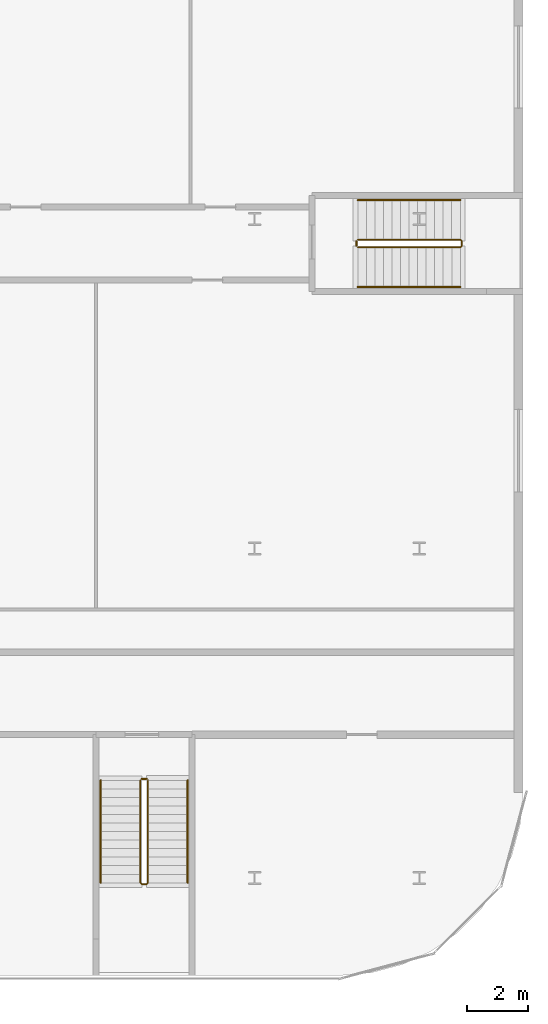
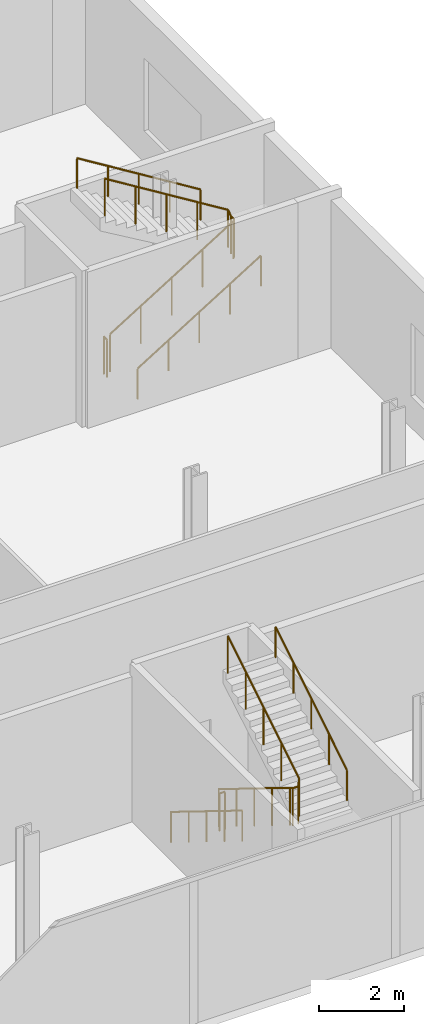
# One storey, part 42 of 47: 8 railings.
"""IFC4 building model written with IfcOpenShell, lengths in metres."""

from ifc_helpers import new_model, si_unit, direction, frame, origin, origin_2d, place, context, subcontext, project, spatial, circle, extrude, material, type_object, element, save


model = new_model("IFC4")

# Units and contexts
model_context = context("Model", 3, precision=1e-05, world=origin(), true_north=direction((0.0, 1.0)))
body_context = subcontext(model_context, "Body", "Model", "MODEL_VIEW")
ifc_project = project(units=[si_unit("LENGTHUNIT", "METRE"), si_unit("AREAUNIT", "SQUARE_METRE"), si_unit("VOLUMEUNIT", "CUBIC_METRE"), si_unit("PLANEANGLEUNIT", "RADIAN"), si_unit("MASSUNIT", "GRAM", prefix="KILO")], contexts=[model_context])

# Site, building, storey
site_placement = place(None, origin())
site = spatial("IfcSite", under=ifc_project, at=site_placement, CompositionType="ELEMENT")
building_placement = place(site_placement, origin())
building = spatial("IfcBuilding", under=site, at=building_placement, Name="Kheshtan School and Residences Tower", CompositionType="ELEMENT")
storey_placement = place(building_placement, frame((0.0, 0.0, 17.0)))
storey = spatial("IfcBuildingStorey", under=building, at=storey_placement, Name="L03", CompositionType="ELEMENT", Elevation=17.0)

# Railings
ifc_material_1 = material(Name="Stainless steel balustrade", Category="steel")
railing_type_1 = type_object("IfcRailingType", Name="Stair guard 1100", PredefinedType="GUARDRAIL", material=ifc_material_1)
railing_1_placement = place(storey_placement, frame((119.449951171875, 16.39990234375, 0.173095703125)))
element("IfcRailing", 1, at=railing_1_placement, inside=storey, type_object=railing_type_1, Name="L03 PS-118-010 stair guard 1", PredefinedType="GUARDRAIL", context=body_context, shape_type="SweptSolid", body=[
    extrude(circle(Radius=0.02392578125, at=origin_2d()), frame((0.0, 0.0, 1.076171875), z_axis=(0.0, -0.850606129759, 0.525803396734), x_axis=(1.0, 0.0, 0.0)), (0.0, 0.0, 1.0), 3.949951171875),
    extrude(circle(Radius=0.02392578125, at=origin_2d()), frame((0.0, -3.35986328125, 3.15283203125), z_axis=(0.707106781187, -0.707106781187, 0.0), x_axis=(0.707106781187, 0.707106781187, 0.0)), (0.0, 0.0, 1.0), 0.07080078125),
    extrude(circle(Radius=0.02392578125, at=origin_2d()), frame((0.050048828125, -3.409912109375, 3.15283203125), z_axis=(1.0, 0.0, 0.0), x_axis=(0.0, 1.0, 0.0)), (0.0, 0.0, 1.0), 0.14990234375),
    extrude(circle(Radius=0.02392578125, at=origin_2d()), frame((0.199951171875, -3.409912109375, 3.15283203125), z_axis=(0.267629722418, 0.267629722418, 0.925607186314), x_axis=(-0.707106781187, 0.707106781187, 0.0)), (0.0, 0.0, 1.0), 0.18701171875),
    extrude(circle(Radius=0.02392578125, at=origin_2d()), frame((0.25, -3.35986328125, 3.326171875), z_axis=(0.0, 0.850606129759, 0.525803396734), x_axis=(-1.0, 0.0, 0.0)), (0.0, 0.0, 1.0), 3.949951171875),
    extrude(circle(Radius=0.02099609375, at=origin_2d()), origin(), (0.0, 0.0, 1.0), 1.052001953125),
    extrude(circle(Radius=0.02099609375, at=origin_2d()), frame((0.0, -0.83984375, 0.519287109375)), (0.0, 0.0, 1.0), 1.052001953125),
    extrude(circle(Radius=0.02099609375, at=origin_2d()), frame((0.0, -1.679931640625, 1.03857421875)), (0.0, 0.0, 1.0), 1.052001953125),
    extrude(circle(Radius=0.02099609375, at=origin_2d()), frame((0.0, -2.52001953125, 1.5576171875)), (0.0, 0.0, 1.0), 1.052001953125),
    extrude(circle(Radius=0.02099609375, at=origin_2d()), frame((0.0, -3.35986328125, 2.076904296875)), (0.0, 0.0, 1.0), 1.052001953125),
    extrude(circle(Radius=0.02099609375, at=origin_2d()), frame((0.050048828125, -3.409912109375, 2.076904296875)), (0.0, 0.0, 1.0), 1.052001953125),
    extrude(circle(Radius=0.02099609375, at=origin_2d()), frame((0.199951171875, -3.409912109375, 2.076904296875)), (0.0, 0.0, 1.0), 1.052001953125),
    extrude(circle(Radius=0.02099609375, at=origin_2d()), frame((0.25, -3.35986328125, 2.25)), (0.0, 0.0, 1.0), 1.052001953125),
    extrude(circle(Radius=0.02099609375, at=origin_2d()), frame((0.25, -2.52001953125, 2.769287109375)), (0.0, 0.0, 1.0), 1.052001953125),
    extrude(circle(Radius=0.02099609375, at=origin_2d()), frame((0.25, -1.679931640625, 3.28857421875)), (0.0, 0.0, 1.0), 1.052001953125),
    extrude(circle(Radius=0.02099609375, at=origin_2d()), frame((0.25, -0.83984375, 3.8076171875)), (0.0, 0.0, 1.0), 1.052001953125),
    extrude(circle(Radius=0.02099609375, at=origin_2d()), frame((0.25, 0.0, 4.326904296875)), (0.0, 0.0, 1.0), 1.052001953125),
])
railing_2_placement = place(storey_placement, frame((119.5, 16.449951171875, 0.0)))
element("IfcRailing", 2, at=railing_2_placement, inside=storey, type_object=railing_type_1, Name="L03 PS-118-010 stair guard 2", PredefinedType="GUARDRAIL", context=body_context, shape_type="SweptSolid", body=[
    extrude(circle(Radius=0.02392578125, at=origin_2d()), frame((0.0, 0.0, 1.076171875), z_axis=(1.0, 0.0, 0.0), x_axis=(0.0, 1.0, 0.0)), (0.0, 0.0, 1.0), 0.14990234375),
    extrude(circle(Radius=0.02099609375, at=origin_2d()), origin(), (0.0, 0.0, 1.0), 1.052001953125),
    extrude(circle(Radius=0.02099609375, at=origin_2d()), frame((0.14990234375, 0.0, 0.0)), (0.0, 0.0, 1.0), 1.052001953125),
])
railing_3_placement = place(storey_placement, frame((126.580078125, 33.875, 0.173095703125)))
element("IfcRailing", 3, at=railing_3_placement, inside=storey, type_object=railing_type_1, Name="L03 PS-125-032 stair guard 1", PredefinedType="GUARDRAIL", context=body_context, shape_type="SweptSolid", body=[
    extrude(circle(Radius=0.02392578125, at=origin_2d()), frame((0.0, 0.0, 1.076171875), z_axis=(0.850606129759, 0.0, 0.525803396734), x_axis=(0.0, 1.0, 0.0)), (0.0, 0.0, 1.0), 3.949951171875),
    extrude(circle(Radius=0.02392578125, at=origin_2d()), frame((3.35986328125, 0.0, 3.15283203125), z_axis=(0.707106781187, 0.707106781187, 0.0), x_axis=(-0.707106781187, 0.707106781187, 0.0)), (0.0, 0.0, 1.0), 0.07080078125),
    extrude(circle(Radius=0.02392578125, at=origin_2d()), frame((3.409912109375, 0.050048828125, 3.15283203125), z_axis=(0.0, 1.0, 0.0), x_axis=(-1.0, 0.0, 0.0)), (0.0, 0.0, 1.0), 0.14990234375),
    extrude(circle(Radius=0.02392578125, at=origin_2d()), frame((3.409912109375, 0.199951171875, 3.15283203125), z_axis=(-0.267629722418, 0.267629722418, 0.925607186314), x_axis=(-0.707106781187, -0.707106781187, 0.0)), (0.0, 0.0, 1.0), 0.18701171875),
    extrude(circle(Radius=0.02392578125, at=origin_2d()), frame((3.35986328125, 0.25, 3.326171875), z_axis=(-0.850606129759, 0.0, 0.525803396734), x_axis=(0.0, -1.0, 0.0)), (0.0, 0.0, 1.0), 3.949951171875),
    extrude(circle(Radius=0.02099609375, at=origin_2d()), origin(), (0.0, 0.0, 1.0), 1.052001953125),
    extrude(circle(Radius=0.02099609375, at=origin_2d()), frame((0.83984375, 0.0, 0.519287109375)), (0.0, 0.0, 1.0), 1.052001953125),
    extrude(circle(Radius=0.02099609375, at=origin_2d()), frame((1.679931640625, 0.0, 1.03857421875)), (0.0, 0.0, 1.0), 1.052001953125),
    extrude(circle(Radius=0.02099609375, at=origin_2d()), frame((2.52001953125, 0.0, 1.5576171875)), (0.0, 0.0, 1.0), 1.052001953125),
    extrude(circle(Radius=0.02099609375, at=origin_2d()), frame((3.35986328125, 0.0, 2.076904296875)), (0.0, 0.0, 1.0), 1.052001953125),
    extrude(circle(Radius=0.02099609375, at=origin_2d()), frame((3.409912109375, 0.050048828125, 2.076904296875)), (0.0, 0.0, 1.0), 1.052001953125),
    extrude(circle(Radius=0.02099609375, at=origin_2d()), frame((3.409912109375, 0.199951171875, 2.076904296875)), (0.0, 0.0, 1.0), 1.052001953125),
    extrude(circle(Radius=0.02099609375, at=origin_2d()), frame((3.35986328125, 0.25, 2.25)), (0.0, 0.0, 1.0), 1.052001953125),
    extrude(circle(Radius=0.02099609375, at=origin_2d()), frame((2.52001953125, 0.25, 2.769287109375)), (0.0, 0.0, 1.0), 1.052001953125),
    extrude(circle(Radius=0.02099609375, at=origin_2d()), frame((1.679931640625, 0.25, 3.28857421875)), (0.0, 0.0, 1.0), 1.052001953125),
    extrude(circle(Radius=0.02099609375, at=origin_2d()), frame((0.83984375, 0.25, 3.8076171875)), (0.0, 0.0, 1.0), 1.052001953125),
    extrude(circle(Radius=0.02099609375, at=origin_2d()), frame((0.0, 0.25, 4.326904296875)), (0.0, 0.0, 1.0), 1.052001953125),
])
railing_4_placement = place(storey_placement, frame((126.530029296875, 33.925048828125, 0.0)))
element("IfcRailing", 4, at=railing_4_placement, inside=storey, type_object=railing_type_1, Name="L03 PS-125-032 stair guard 2", PredefinedType="GUARDRAIL", context=body_context, shape_type="SweptSolid", body=[
    extrude(circle(Radius=0.02392578125, at=origin_2d()), frame((0.0, 0.0, 1.076171875), z_axis=(0.0, 1.0, 0.0), x_axis=(-1.0, 0.0, 0.0)), (0.0, 0.0, 1.0), 0.14990234375),
    extrude(circle(Radius=0.02099609375, at=origin_2d()), origin(), (0.0, 0.0, 1.0), 1.052001953125),
    extrude(circle(Radius=0.02099609375, at=origin_2d()), frame((0.0, 0.14990234375, 0.0)), (0.0, 0.0, 1.0), 1.052001953125),
])
ifc_material_2 = material(Name="Stainless steel handrail", Category="steel")
railing_type_2 = type_object("IfcRailingType", Name="Stair handrail 900", PredefinedType="HANDRAIL", material=ifc_material_2)
railing_5_placement = place(storey_placement, frame((118.14990234375, 16.39990234375, 0.173095703125)))
element("IfcRailing", 5, at=railing_5_placement, inside=storey, type_object=railing_type_2, Name="L03 PS-118-010 stair handrail 1", PredefinedType="HANDRAIL", context=body_context, shape_type="SweptSolid", body=[
    extrude(circle(Radius=0.02392578125, at=origin_2d()), frame((0.0, 0.0, 0.8759765625), z_axis=(0.0, -0.850606129759, 0.525803396734), x_axis=(1.0, 0.0, 0.0)), (0.0, 0.0, 1.0), 3.949951171875),
    extrude(circle(Radius=0.02099609375, at=origin_2d()), origin(), (0.0, 0.0, 1.0), 0.851806640625),
    extrude(circle(Radius=0.02099609375, at=origin_2d()), frame((0.0, -0.83984375, 0.519287109375)), (0.0, 0.0, 1.0), 0.851806640625),
    extrude(circle(Radius=0.02099609375, at=origin_2d()), frame((0.0, -1.679931640625, 1.03857421875)), (0.0, 0.0, 1.0), 0.851806640625),
    extrude(circle(Radius=0.02099609375, at=origin_2d()), frame((0.0, -2.52001953125, 1.5576171875)), (0.0, 0.0, 1.0), 0.851806640625),
    extrude(circle(Radius=0.02099609375, at=origin_2d()), frame((0.0, -3.35986328125, 2.076904296875)), (0.0, 0.0, 1.0), 0.851806640625),
])
railing_6_placement = place(storey_placement, frame((121.0, 13.0400390625, 2.423095703125)))
element("IfcRailing", 6, at=railing_6_placement, inside=storey, type_object=railing_type_2, Name="L03 PS-118-010 stair handrail 2", PredefinedType="HANDRAIL", context=body_context, shape_type="SweptSolid", body=[
    extrude(circle(Radius=0.02392578125, at=origin_2d()), frame((0.0, 0.0, 0.8759765625), z_axis=(0.0, 0.850606129759, 0.525803396734), x_axis=(-1.0, 0.0, 0.0)), (0.0, 0.0, 1.0), 3.949951171875),
    extrude(circle(Radius=0.02099609375, at=origin_2d()), origin(), (0.0, 0.0, 1.0), 0.851806640625),
    extrude(circle(Radius=0.02099609375, at=origin_2d()), frame((0.0, 0.83984375, 0.519287109375)), (0.0, 0.0, 1.0), 0.851806640625),
    extrude(circle(Radius=0.02099609375, at=origin_2d()), frame((0.0, 1.679931640625, 1.03857421875)), (0.0, 0.0, 1.0), 0.851806640625),
    extrude(circle(Radius=0.02099609375, at=origin_2d()), frame((0.0, 2.52001953125, 1.5576171875)), (0.0, 0.0, 1.0), 0.851806640625),
    extrude(circle(Radius=0.02099609375, at=origin_2d()), frame((0.0, 3.35986328125, 2.076904296875)), (0.0, 0.0, 1.0), 0.851806640625),
])
railing_7_placement = place(storey_placement, frame((126.580078125, 32.574951171875, 0.173095703125)))
element("IfcRailing", 7, at=railing_7_placement, inside=storey, type_object=railing_type_2, Name="L03 PS-125-032 stair handrail 1", PredefinedType="HANDRAIL", context=body_context, shape_type="SweptSolid", body=[
    extrude(circle(Radius=0.02392578125, at=origin_2d()), frame((0.0, 0.0, 0.8759765625), z_axis=(0.850606129759, 0.0, 0.525803396734), x_axis=(0.0, 1.0, 0.0)), (0.0, 0.0, 1.0), 3.949951171875),
    extrude(circle(Radius=0.02099609375, at=origin_2d()), origin(), (0.0, 0.0, 1.0), 0.851806640625),
    extrude(circle(Radius=0.02099609375, at=origin_2d()), frame((0.83984375, 0.0, 0.519287109375)), (0.0, 0.0, 1.0), 0.851806640625),
    extrude(circle(Radius=0.02099609375, at=origin_2d()), frame((1.679931640625, 0.0, 1.03857421875)), (0.0, 0.0, 1.0), 0.851806640625),
    extrude(circle(Radius=0.02099609375, at=origin_2d()), frame((2.52001953125, 0.0, 1.5576171875)), (0.0, 0.0, 1.0), 0.851806640625),
    extrude(circle(Radius=0.02099609375, at=origin_2d()), frame((3.35986328125, 0.0, 2.076904296875)), (0.0, 0.0, 1.0), 0.851806640625),
])
railing_8_placement = place(storey_placement, frame((129.93994140625, 35.425048828125, 2.423095703125)))
element("IfcRailing", 8, at=railing_8_placement, inside=storey, type_object=railing_type_2, Name="L03 PS-125-032 stair handrail 2", PredefinedType="HANDRAIL", context=body_context, shape_type="SweptSolid", body=[
    extrude(circle(Radius=0.02392578125, at=origin_2d()), frame((0.0, 0.0, 0.8759765625), z_axis=(-0.850606129759, 0.0, 0.525803396734), x_axis=(0.0, -1.0, 0.0)), (0.0, 0.0, 1.0), 3.949951171875),
    extrude(circle(Radius=0.02099609375, at=origin_2d()), origin(), (0.0, 0.0, 1.0), 0.851806640625),
    extrude(circle(Radius=0.02099609375, at=origin_2d()), frame((-0.83984375, 0.0, 0.519287109375)), (0.0, 0.0, 1.0), 0.851806640625),
    extrude(circle(Radius=0.02099609375, at=origin_2d()), frame((-1.679931640625, 0.0, 1.03857421875)), (0.0, 0.0, 1.0), 0.851806640625),
    extrude(circle(Radius=0.02099609375, at=origin_2d()), frame((-2.52001953125, 0.0, 1.5576171875)), (0.0, 0.0, 1.0), 0.851806640625),
    extrude(circle(Radius=0.02099609375, at=origin_2d()), frame((-3.35986328125, 0.0, 2.076904296875)), (0.0, 0.0, 1.0), 0.851806640625),
])

save(model, "model.ifc")
